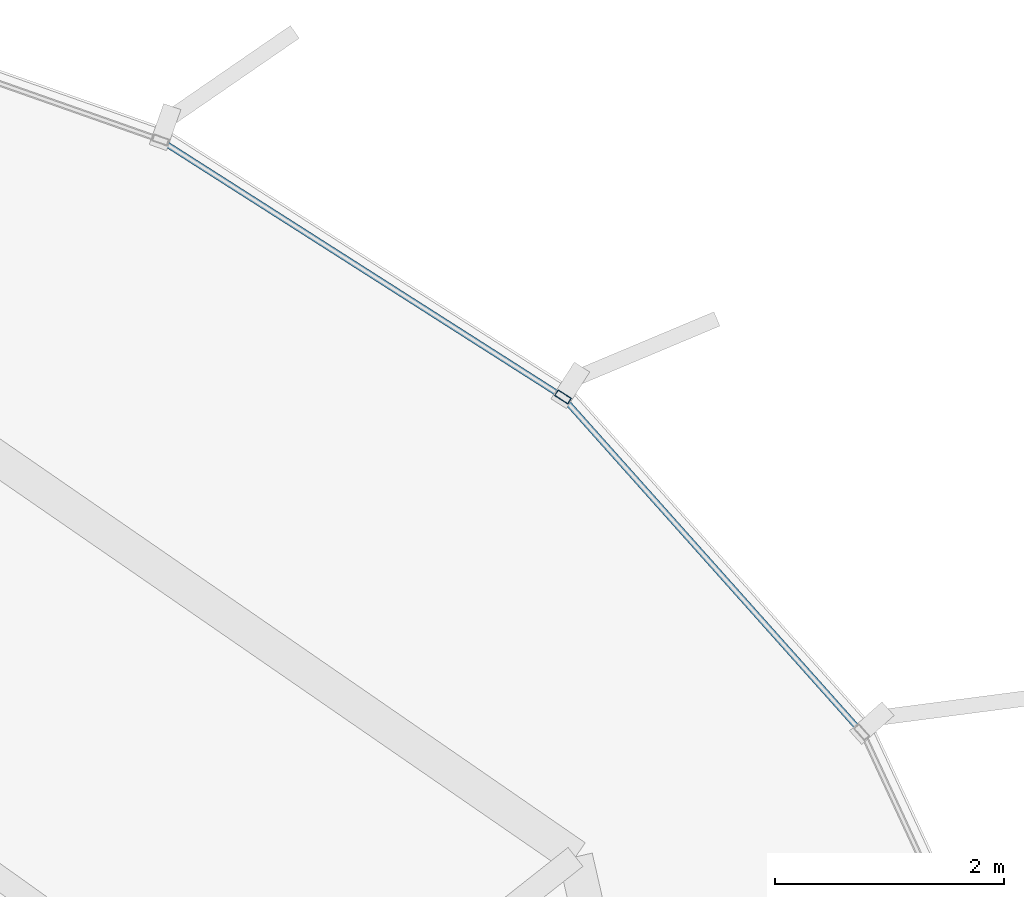
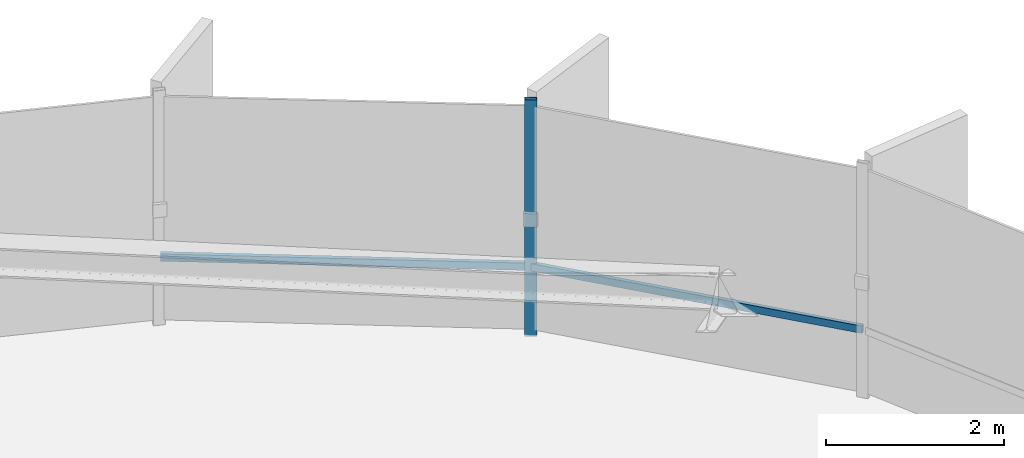
# One storey, part 26 of 35: 3 members, 1 element without a shape of its own.
"""IFC4 building model written with IfcOpenShell, lengths in metres."""

from ifc_helpers import new_model, si_unit, direction, frame, origin, origin_2d, place, context, subcontext, project, spatial, hollow_rectangle, extrude, source, transform, mapped, material, layer, layer_set, material_profile, profile_set, type_object, element, aggregate, save


model = new_model("IFC4")

# Units and contexts
model_context = context("Model", 3, precision=1e-05, world=origin(), true_north=direction((0.0, 1.0)))
body_context = subcontext(model_context, "Body", "Model", "MODEL_VIEW")
ifc_project = project(units=[si_unit("LENGTHUNIT", "METRE"), si_unit("AREAUNIT", "SQUARE_METRE"), si_unit("VOLUMEUNIT", "CUBIC_METRE"), si_unit("PLANEANGLEUNIT", "RADIAN"), si_unit("MASSUNIT", "GRAM", prefix="KILO"), si_unit("THERMODYNAMICTEMPERATUREUNIT", "KELVIN")], contexts=[model_context])

# Site, building, storey
site_placement = place(None, origin())
site = spatial("IfcSite", under=ifc_project, at=site_placement, CompositionType="ELEMENT")
building_placement = place(site_placement, origin())
building = spatial("IfcBuilding", under=site, at=building_placement, Name="Kethvar Cultural Tower", CompositionType="ELEMENT")
storey_placement = place(building_placement, frame((0.0, 0.0, 167.85009765625)))
storey = spatial("IfcBuildingStorey", under=building, at=storey_placement, Name="L43", CompositionType="ELEMENT", Elevation=167.85009765625)

# Curtain wall, members
ifc_material = material(Name="Aluminium 6063-T6", Category="aluminium")
ifc_layer = layer(ifc_material, 0.179931640625, Name="Aluminium 6063-T6", Category="aluminium")
ifc_layer_set = layer_set([ifc_layer], Name="Aluminium 6063-T6 (180 mm)")
curtain_wall_type = type_object("IfcCurtainWallType", Name="CW-SYS-04-Z34", PredefinedType="NOTDEFINED", material=ifc_layer_set)
curtain_wall_placement = place(storey_placement, origin())
curtain_wall = element("IfcCurtainWall", 1, at=curtain_wall_placement, inside=storey, type_object=curtain_wall_type, Name="L43 Curtain Wall Run 01", PredefinedType="NOTDEFINED")
ifc_material_profile_1 = material_profile(ifc_material, hollow_rectangle(XDim=0.050048828125, YDim=0.10009765625, WallThickness=0.00390625, at=origin_2d()), Name="Aluminium 6063-T6 — RHS100x50x4")
ifc_profile_set_1 = profile_set([ifc_material_profile_1], Name="Aluminium 6063-T6 — RHS100x50x4")
member_type_1 = type_object("IfcMemberType", Name="CW-SYS-04-Z34-TRN", PredefinedType="USERDEFINED", material=ifc_profile_set_1)
shared_shape_1 = source(origin(), body_context, "Body", "SweptSolid", [
    extrude(hollow_rectangle(XDim=0.050048828125, YDim=0.10009765625, WallThickness=0.00390625, at=origin_2d()), origin(), (0.0, 0.0, 1.0), 4.11572265625),
])
member_1_placement = place(storey_placement, frame((70.93359375, 48.37646484375, 0.949951171875), z_axis=(-0.84322887859, 0.537554702623, 0.0), x_axis=(-0.537554702623, -0.84322887859, 0.0)))
member_1 = element("IfcMember", 2, at=member_1_placement, type_object=member_type_1, Name="CW-L43-R01 Transom 2", ObjectType="TRANSOM", PredefinedType="USERDEFINED", context=body_context, shape_type="MappedRepresentation", body=[
    mapped(shared_shape_1, transform((0.0, 0.0, 0.0), scale=1.0)),
])
shared_shape_2 = source(origin(), body_context, "Body", "SweptSolid", [
    extrude(hollow_rectangle(XDim=0.050048828125, YDim=0.10009765625, WallThickness=0.00390625, at=origin_2d()), origin(), (0.0, 0.0, 1.0), 3.910400390625),
])
member_2_placement = place(storey_placement, frame((73.579833984375, 45.4228515625, 0.949951171875), z_axis=(-0.665854463218, 0.746081653583, 0.0), x_axis=(-0.746081653583, -0.665854463218, 0.0)))
member_2 = element("IfcMember", 3, at=member_2_placement, type_object=member_type_1, Name="CW-L43-R01 Transom 1", ObjectType="TRANSOM", PredefinedType="USERDEFINED", context=body_context, shape_type="MappedRepresentation", body=[
    mapped(shared_shape_2, transform((0.0, 0.0, 0.0), scale=1.0)),
])
ifc_material_profile_2 = material_profile(ifc_material, hollow_rectangle(XDim=0.06005859375, YDim=0.139892578125, WallThickness=0.0048828125, at=origin_2d()), Name="Aluminium 6063-T6 — RHS140x60x5")
ifc_profile_set_2 = profile_set([ifc_material_profile_2], Name="Aluminium 6063-T6 — RHS140x60x5")
member_type_2 = type_object("IfcMemberType", Name="CW-SYS-04-Z34-MUL", PredefinedType="MULLION", material=ifc_profile_set_2)
shared_shape_3 = source(origin(), body_context, "Body", "SweptSolid", [
    extrude(hollow_rectangle(XDim=0.06005859375, YDim=0.139892578125, WallThickness=0.0048828125, at=origin_2d()), origin(), (0.0, 0.0, 1.0), 3.239990234375),
])
member_3_placement = place(storey_placement, frame((70.97021484375, 48.35302734375, 0.0), z_axis=(0.0, 0.0, 1.0), x_axis=(-0.537549823972, -0.843231988688, 0.0)))
member_3 = element("IfcMember", 4, at=member_3_placement, type_object=member_type_2, Name="CW-L43-R01 Mullion 2", PredefinedType="MULLION", context=body_context, shape_type="MappedRepresentation", body=[
    mapped(shared_shape_3, transform((0.0, 0.0, 0.0), scale=1.0)),
])
aggregate(curtain_wall, [member_3, member_2, member_1])

save(model, "model.ifc")
